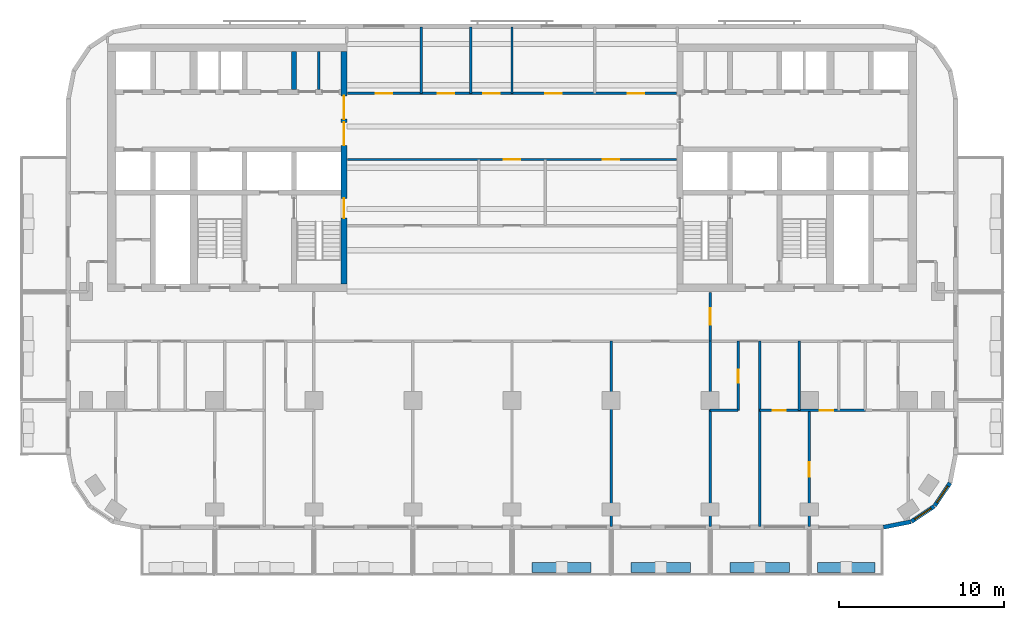
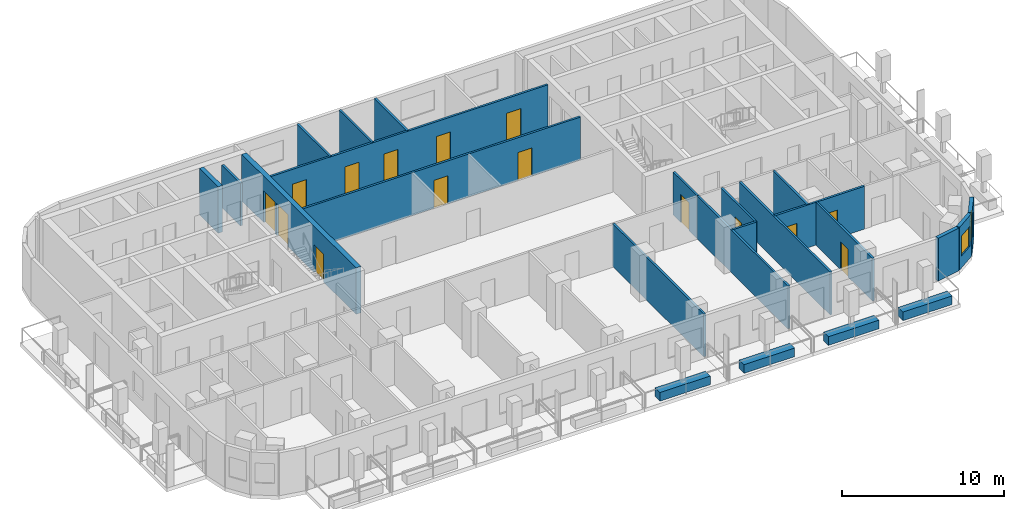
# One storey, part 5 of 12: 24 walls, 15 doors, 2 windows, 17 openings.
"""IFC4 building model written with IfcOpenShell, lengths in metres."""

from ifc_helpers import new_model, si_unit, direction, frame, frame_2d, origin, place, context, subcontext, project, spatial, rectangle, extrude, material, layer, layer_set, type_object, element, fill, save


model = new_model("IFC4")

# Units and contexts
model_context = context("Model", 3, precision=1e-05, world=origin(), true_north=direction((0.0, 1.0)))
body_context = subcontext(model_context, "Body", "Model", "MODEL_VIEW")
ifc_project = project(units=[si_unit("LENGTHUNIT", "METRE"), si_unit("AREAUNIT", "SQUARE_METRE"), si_unit("VOLUMEUNIT", "CUBIC_METRE"), si_unit("PLANEANGLEUNIT", "RADIAN"), si_unit("MASSUNIT", "GRAM", prefix="KILO")], contexts=[model_context])

# Site, building, storey
site_placement = place(None, origin())
site = spatial("IfcSite", under=ifc_project, at=site_placement, CompositionType="ELEMENT")
building_placement = place(site_placement, origin())
building = spatial("IfcBuilding", under=site, at=building_placement, Name="Torana Hotel and Residences", CompositionType="ELEMENT")
storey_placement = place(building_placement, frame((0.0, 0.0, 201.10009765625)))
storey = spatial("IfcBuildingStorey", under=building, at=storey_placement, Name="L52", CompositionType="ELEMENT", Elevation=201.10009765625)

# Wall
ifc_material_1 = material(Name="Concrete C70/85", Category="concrete")
ifc_layer_1 = layer(ifc_material_1, 0.300048828125)
ifc_layer_set_1 = layer_set([ifc_layer_1], Name="CORE WALL 300 C70/85")
wall_type_1 = type_object("IfcWallType", Name="CORE WALL 300 C70/85", PredefinedType="SHEAR", material=ifc_layer_set_1)
wall_1_placement = place(storey_placement, frame((-13.199951171875, -2.75, 0.0), z_axis=(0.0, 0.0, 1.0), x_axis=(0.0, 1.0, 0.0)))
element("IfcWall", 1, at=wall_1_placement, inside=storey, type_object=wall_type_1, Name="Core wall W x3.05-N", PredefinedType="SHEAR", context=body_context, shape_type="SweptSolid", body=[
    extrude(rectangle(XDim=2.300048828125, YDim=0.300048828125, at=frame_2d((1.14990234375, 0.0))), origin(), (0.0, 0.0, 1.0), 3.5),
])

# Wall, openings, doors
ifc_material_2 = material(Name="Concrete C70/85", Category="concrete")
ifc_layer_2 = layer(ifc_material_2, 0.35009765625)
ifc_layer_set_2 = layer_set([ifc_layer_2], Name="CORE WALL 350 C70/85")
wall_type_2 = type_object("IfcWallType", Name="CORE WALL 350 C70/85", PredefinedType="SHEAR", material=ifc_layer_set_2)
wall_2_placement = place(storey_placement, frame((-10.175048828125, -14.550048828125, 0.0), z_axis=(0.0, 0.0, 1.0), x_axis=(0.0, 1.0, 0.0)))
wall_2 = element("IfcWall", 2, at=wall_2_placement, inside=storey, type_object=wall_type_2, Name="Core wall W arch", PredefinedType="SHEAR", context=body_context, shape_type="SweptSolid", body=[
    extrude(rectangle(XDim=14.10009765625, YDim=0.35009765625, at=frame_2d((7.050048828125, 0.0))), origin(), (0.0, 0.0, 1.0), 3.5),
])
opening_1_placement = place(wall_2_placement, frame((8.39990234375, 0.0, 0.0)))
opening_1 = element("IfcOpeningElement", 3, at=opening_1_placement, cuts=wall_2, Name="Opening L52-01", PredefinedType="OPENING", context=body_context, shape_type="SweptSolid", body=[
    extrude(rectangle(XDim=1.39990234375, YDim=2.39990234375, at=frame_2d((0.699951171875, 1.199951171875))), frame((0.0, 0.18505859375, 0.0), z_axis=(0.0, -1.0, 0.0), x_axis=(1.0, 0.0, 0.0)), (0.0, 0.0, 1.0), 0.3701171875),
])
opening_2_placement = place(wall_2_placement, frame((10.0, 0.0, 0.0)))
opening_2 = element("IfcOpeningElement", 4, at=opening_2_placement, cuts=wall_2, Name="Opening L52-02", PredefinedType="OPENING", context=body_context, shape_type="SweptSolid", body=[
    extrude(rectangle(XDim=1.39990234375, YDim=2.39990234375, at=frame_2d((0.699951171875, 1.199951171875))), frame((0.0, 0.18505859375, 0.0), z_axis=(0.0, -1.0, 0.0), x_axis=(1.0, 0.0, 0.0)), (0.0, 0.0, 1.0), 0.3701171875),
])
opening_3_placement = place(wall_2_placement, frame((4.0, 0.0, 0.0)))
opening_3 = element("IfcOpeningElement", 5, at=opening_3_placement, cuts=wall_2, Name="Opening L52-03", PredefinedType="OPENING", context=body_context, shape_type="SweptSolid", body=[
    extrude(rectangle(XDim=1.199951171875, YDim=2.10009765625, at=frame_2d((0.60009765625, 1.050048828125))), frame((0.0, 0.18505859375, 0.0), z_axis=(0.0, -1.0, 0.0), x_axis=(1.0, 0.0, 0.0)), (0.0, 0.0, 1.0), 0.3701171875),
])
ifc_material_3 = material(Name="Steel S235", Category="steel")
door_type_1 = type_object("IfcDoorType", Name="LOBBY FIRE DOOR D4 1400x2400", OperationType="DOUBLE_DOOR_SINGLE_SWING", PredefinedType="DOOR", material=ifc_material_3)
door_1_placement = place(opening_1_placement, origin())
door_1 = element("IfcDoor", 6, at=door_1_placement, inside=storey, type_object=door_type_1, Name="Lobby-1 door L52", OperationType="DOUBLE_DOOR_SINGLE_SWING", OverallHeight=2.39990234375, OverallWidth=1.39990234375, PredefinedType="DOOR", context=body_context, shape_type="SweptSolid", body=[
    extrude(rectangle(XDim=1.39990234375, YDim=2.39990234375, at=frame_2d((0.699951171875, 1.199951171875))), frame((0.0, 0.02490234375, 0.0), z_axis=(0.0, -1.0, 0.0), x_axis=(1.0, 0.0, 0.0)), (0.0, 0.0, 1.0), 0.050048828125),
])
fill(opening_1, door_1)
door_2_placement = place(opening_2_placement, origin())
door_2 = element("IfcDoor", 7, at=door_2_placement, inside=storey, type_object=door_type_1, Name="Lobby-2 door L52", OperationType="DOUBLE_DOOR_SINGLE_SWING", OverallHeight=2.39990234375, OverallWidth=1.39990234375, PredefinedType="DOOR", context=body_context, shape_type="SweptSolid", body=[
    extrude(rectangle(XDim=1.39990234375, YDim=2.39990234375, at=frame_2d((0.699951171875, 1.199951171875))), frame((0.0, 0.02490234375, 0.0), z_axis=(0.0, -1.0, 0.0), x_axis=(1.0, 0.0, 0.0)), (0.0, 0.0, 1.0), 0.050048828125),
])
fill(opening_2, door_2)
ifc_material_4 = material(Name="Steel S235", Category="steel")
door_type_2 = type_object("IfcDoorType", Name="STAIR FIRE DOOR D3 1200x2100", OperationType="SINGLE_SWING_LEFT", PredefinedType="DOOR", material=ifc_material_4)
door_3_placement = place(opening_3_placement, origin())
door_3 = element("IfcDoor", 8, at=door_3_placement, inside=storey, type_object=door_type_2, Name="Stair-A door L52", OperationType="SINGLE_SWING_LEFT", OverallHeight=2.10009765625, OverallWidth=1.199951171875, PredefinedType="DOOR", context=body_context, shape_type="SweptSolid", body=[
    extrude(rectangle(XDim=1.199951171875, YDim=2.10009765625, at=frame_2d((0.60009765625, 1.050048828125))), frame((0.0, 0.02490234375, 0.0), z_axis=(0.0, -1.0, 0.0), x_axis=(1.0, 0.0, 0.0)), (0.0, 0.0, 1.0), 0.050048828125),
])
fill(opening_3, door_3)

# Wall
ifc_material_5 = material(Name="Black aluminium composite panel", Category="aluminium")
ifc_layer_3 = layer(ifc_material_5, 0.00390625, Name="Cladding", Category="cladding")
ifc_material_6 = material(Name="Ventilated air cavity")
ifc_layer_4 = layer(ifc_material_6, 0.0400390625, Name="Ventilated cavity", Category="cavity")
ifc_material_7 = material(Name="Mineral wool insulation")
ifc_layer_5 = layer(ifc_material_7, 0.090087890625, Name="Insulation", Category="insulation")
ifc_material_8 = material(Name="Steel S280GD", Category="steel")
ifc_layer_6 = layer(ifc_material_8, 0.092041015625, Name="Steel stud frame", Category="structure")
ifc_material_9 = material(Name="Fire rated plasterboard")
ifc_layer_7 = layer(ifc_material_9, 0.011962890625, Name="Inner board", Category="finish")
ifc_layer_8 = layer(ifc_material_9, 0.011962890625, Name="Second board", Category="finish")
ifc_layer_set_3 = layer_set([ifc_layer_3, ifc_layer_4, ifc_layer_5, ifc_layer_6, ifc_layer_7, ifc_layer_8], Name="EW1 EXTERNAL WALL BLACK METAL CLAD 250")
wall_type_3 = type_object("IfcWallType", Name="EW1 EXTERNAL WALL BLACK METAL CLAD 250", PredefinedType="SOLIDWALL", material=ifc_layer_set_3)
wall_3_placement = place(storey_placement, frame((22.499755859375, -29.272705078125, 0.0), z_axis=(0.0, 0.0, 1.0), x_axis=(0.980775640221, 0.19513878023, 0.0)))
element("IfcWall", 9, at=wall_3_placement, inside=storey, type_object=wall_type_3, Name="External wall L52 e0.15", PredefinedType="SOLIDWALL", context=body_context, shape_type="SweptSolid", body=[
    extrude(rectangle(XDim=1.681396484375, YDim=0.25, at=frame_2d((0.8408203125, 0.0))), origin(), (0.0, 0.0, 1.0), 3.219970703125),
])

# Wall, opening, window
wall_4_placement = place(storey_placement, frame((24.194091796875, -28.92578125, 0.0), z_axis=(0.0, 0.0, 1.0), x_axis=(0.831482937015, 0.55555029066, 0.0)))
wall_4 = element("IfcWall", 10, at=wall_4_placement, inside=storey, type_object=wall_type_3, Name="External wall L52 e0.16", PredefinedType="SOLIDWALL", context=body_context, shape_type="SweptSolid", body=[
    extrude(rectangle(XDim=1.65625, YDim=0.25, at=frame_2d((0.828125, 0.0))), origin(), (0.0, 0.0, 1.0), 3.219970703125),
])
opening_4_placement = place(wall_4_placement, frame((0.228271484375, 0.0, 0.89990234375)))
opening_4 = element("IfcOpeningElement", 11, at=opening_4_placement, cuts=wall_4, Name="Opening W5", PredefinedType="OPENING", context=body_context, shape_type="SweptSolid", body=[
    extrude(rectangle(XDim=1.199951171875, YDim=1.5, at=frame_2d((0.60009765625, 0.75))), frame((0.0, 0.135009765625, 0.0), z_axis=(0.0, -1.0, 0.0), x_axis=(1.0, 0.0, 0.0)), (0.0, 0.0, 1.0), 0.27001953125),
])
ifc_material_10 = material(Name="Dark glass in black aluminium frame", Category="aluminium")
window_type = type_object("IfcWindowType", Name="W5 CORNER FACET WINDOW 1200x1500", PartitioningType="SINGLE_PANEL", PredefinedType="WINDOW", material=ifc_material_10)
window_1_placement = place(opening_4_placement, origin())
window_1 = element("IfcWindow", 12, at=window_1_placement, inside=storey, type_object=window_type, Name="Window L52 e0.16", OverallHeight=1.5, OverallWidth=1.199951171875, PartitioningType="SINGLE_PANEL", PredefinedType="WINDOW", context=body_context, shape_type="SweptSolid", body=[
    extrude(rectangle(XDim=1.199951171875, YDim=1.5, at=frame_2d((0.60009765625, 0.75))), frame((0.0, 0.030029296875, 0.0), z_axis=(0.0, -1.0, 0.0), x_axis=(1.0, 0.0, 0.0)), (0.0, 0.0, 1.0), 0.06005859375),
])
fill(opening_4, window_1)

wall_5_placement = place(storey_placement, frame((25.605712890625, -27.97119140625, 0.0), z_axis=(0.0, 0.0, 1.0), x_axis=(0.55555029066, 0.831482937015, 0.0)))
wall_5 = element("IfcWall", 13, at=wall_5_placement, inside=storey, type_object=wall_type_3, Name="External wall L52 e0.17", PredefinedType="SOLIDWALL", context=body_context, shape_type="SweptSolid", body=[
    extrude(rectangle(XDim=1.65625, YDim=0.25, at=frame_2d((0.828125, 0.0))), origin(), (0.0, 0.0, 1.0), 3.219970703125),
])
opening_5_placement = place(wall_5_placement, frame((0.228271484375, 0.0, 0.89990234375)))
opening_5 = element("IfcOpeningElement", 14, at=opening_5_placement, cuts=wall_5, Name="Opening W5", PredefinedType="OPENING", context=body_context, shape_type="SweptSolid", body=[
    extrude(rectangle(XDim=1.199951171875, YDim=1.5, at=frame_2d((0.60009765625, 0.75))), frame((0.0, 0.135009765625, 0.0), z_axis=(0.0, -1.0, 0.0), x_axis=(1.0, 0.0, 0.0)), (0.0, 0.0, 1.0), 0.27001953125),
])
window_2_placement = place(opening_5_placement, origin())
window_2 = element("IfcWindow", 15, at=window_2_placement, inside=storey, type_object=window_type, Name="Window L52 e0.17", OverallHeight=1.5, OverallWidth=1.199951171875, PartitioningType="SINGLE_PANEL", PredefinedType="WINDOW", context=body_context, shape_type="SweptSolid", body=[
    extrude(rectangle(XDim=1.199951171875, YDim=1.5, at=frame_2d((0.60009765625, 0.75))), frame((0.0, 0.030029296875, 0.0), z_axis=(0.0, -1.0, 0.0), x_axis=(1.0, 0.0, 0.0)), (0.0, 0.0, 1.0), 0.06005859375),
])
fill(opening_5, window_2)

# Wall
ifc_material_11 = material(Name="Gypsum plaster")
ifc_layer_9 = layer(ifc_material_11, 0.014892578125, Name="Plaster", Category="finish")
ifc_material_12 = material(Name="Concrete blockwork", Category="masonry")
ifc_layer_10 = layer(ifc_material_12, 0.1201171875, Name="Blockwork", Category="structure")
ifc_layer_11 = layer(ifc_material_11, 0.014892578125, Name="Plaster", Category="finish")
ifc_layer_set_4 = layer_set([ifc_layer_9, ifc_layer_10, ifc_layer_11], Name="FIRE PARTITION 150 BLOCKWORK")
wall_type_4 = type_object("IfcWallType", Name="FIRE PARTITION 150 BLOCKWORK", PredefinedType="PARTITIONING", material=ifc_layer_set_4)
wall_6_placement = place(storey_placement, frame((-11.699951171875, -2.75, 0.0), z_axis=(0.0, 0.0, 1.0), x_axis=(0.0, 1.0, 0.0)))
element("IfcWall", 16, at=wall_6_placement, inside=storey, type_object=wall_type_4, Name="Core partition L52", PredefinedType="PARTITIONING", context=body_context, shape_type="SweptSolid", body=[
    extrude(rectangle(XDim=2.300048828125, YDim=0.14990234375, at=frame_2d((1.14990234375, 0.0))), origin(), (0.0, 0.0, 1.0), 3.199951171875),
])

# Wall, opening, door
wall_7_placement = place(storey_placement, frame((12.0, -18.0, 0.0), z_axis=(0.0, 0.0, 1.0), x_axis=(0.0, 1.0, 0.0)))
wall_7 = element("IfcWall", 17, at=wall_7_placement, inside=storey, type_object=wall_type_4, Name="Partition L52", PredefinedType="PARTITIONING", context=body_context, shape_type="SweptSolid", body=[
    extrude(rectangle(XDim=2.949951171875, YDim=0.14990234375, at=frame_2d((1.47509765625, 0.0))), origin(), (0.0, 0.0, 1.0), 3.219970703125),
])
opening_6_placement = place(wall_7_placement, frame((1.0, 0.0, 0.0)))
opening_6 = element("IfcOpeningElement", 18, at=opening_6_placement, cuts=wall_7, Name="Opening L52-38", PredefinedType="OPENING", context=body_context, shape_type="SweptSolid", body=[
    extrude(rectangle(XDim=1.0, YDim=2.10009765625, at=frame_2d((0.5, 1.050048828125))), frame((0.0, 0.0849609375, 0.0), z_axis=(0.0, -1.0, 0.0), x_axis=(1.0, 0.0, 0.0)), (0.0, 0.0, 1.0), 0.169921875),
])
ifc_material_13 = material(Name="Steel S235", Category="steel")
door_type_3 = type_object("IfcDoorType", Name="ENTRY FIRE DOOR D6 1000x2100", OperationType="SINGLE_SWING_LEFT", PredefinedType="DOOR", material=ifc_material_13)
door_4_placement = place(opening_6_placement, origin())
door_4 = element("IfcDoor", 19, at=door_4_placement, inside=storey, type_object=door_type_3, Name="Door L52", OperationType="SINGLE_SWING_RIGHT", OverallHeight=2.10009765625, OverallWidth=1.0, PredefinedType="DOOR", context=body_context, shape_type="SweptSolid", body=[
    extrude(rectangle(XDim=1.0, YDim=2.10009765625, at=frame_2d((0.5, 1.050048828125))), frame((0.0, 0.02490234375, 0.0), z_axis=(0.0, -1.0, 0.0), x_axis=(1.0, 0.0, 0.0)), (0.0, 0.0, 1.0), 0.050048828125),
])
fill(opening_6, door_4)

# Wall, openings, doors
wall_8_placement = place(storey_placement, frame((-9.949951171875, -7.0, 0.0), z_axis=(0.0, 0.0, 1.0), x_axis=(1.0, 0.0, 0.0)))
wall_8 = element("IfcWall", 20, at=wall_8_placement, inside=storey, type_object=wall_type_4, Name="Partition L52", PredefinedType="PARTITIONING", context=body_context, shape_type="SweptSolid", body=[
    extrude(rectangle(XDim=19.89990234375, YDim=0.14990234375, at=frame_2d((9.949951171875, 0.0))), origin(), (0.0, 0.0, 1.0), 3.219970703125),
])
opening_7_placement = place(wall_8_placement, frame((9.449951171875, 0.0, 0.0)))
opening_7 = element("IfcOpeningElement", 21, at=opening_7_placement, cuts=wall_8, Name="Opening L52-49", PredefinedType="OPENING", context=body_context, shape_type="SweptSolid", body=[
    extrude(rectangle(XDim=1.0, YDim=2.10009765625, at=frame_2d((0.5, 1.050048828125))), frame((0.0, 0.0849609375, 0.0), z_axis=(0.0, -1.0, 0.0), x_axis=(1.0, 0.0, 0.0)), (0.0, 0.0, 1.0), 0.169921875),
])
opening_8_placement = place(wall_8_placement, frame((15.449951171875, 0.0, 0.0)))
opening_8 = element("IfcOpeningElement", 22, at=opening_8_placement, cuts=wall_8, Name="Opening L52-50", PredefinedType="OPENING", context=body_context, shape_type="SweptSolid", body=[
    extrude(rectangle(XDim=1.0, YDim=2.10009765625, at=frame_2d((0.5, 1.050048828125))), frame((0.0, 0.0849609375, 0.0), z_axis=(0.0, -1.0, 0.0), x_axis=(1.0, 0.0, 0.0)), (0.0, 0.0, 1.0), 0.169921875),
])
door_5_placement = place(opening_7_placement, origin())
door_5 = element("IfcDoor", 23, at=door_5_placement, inside=storey, type_object=door_type_3, Name="Door L52", OperationType="SINGLE_SWING_RIGHT", OverallHeight=2.10009765625, OverallWidth=1.0, PredefinedType="DOOR", context=body_context, shape_type="SweptSolid", body=[
    extrude(rectangle(XDim=1.0, YDim=2.10009765625, at=frame_2d((0.5, 1.050048828125))), frame((0.0, 0.02490234375, 0.0), z_axis=(0.0, -1.0, 0.0), x_axis=(1.0, 0.0, 0.0)), (0.0, 0.0, 1.0), 0.050048828125),
])
fill(opening_7, door_5)
door_6_placement = place(opening_8_placement, frame((0.5, 0.0, 0.0), z_axis=(0.0, 0.0, 1.0), x_axis=(-1.0, 0.0, 0.0)))
door_6 = element("IfcDoor", 24, at=door_6_placement, inside=storey, type_object=door_type_3, Name="Door L52", OperationType="SINGLE_SWING_LEFT", OverallHeight=2.10009765625, OverallWidth=1.0, PredefinedType="DOOR", context=body_context, shape_type="SweptSolid", body=[
    extrude(rectangle(XDim=1.0, YDim=2.10009765625, at=frame_2d((0.0, 1.050048828125))), frame((0.0, -0.02490234375, 0.0), z_axis=(0.0, 1.0, 0.0), x_axis=(-1.0, 0.0, 0.0)), (0.0, 0.0, 1.0), 0.050048828125),
])
fill(opening_8, door_6)

wall_9_placement = place(storey_placement, frame((-9.949951171875, -3.0, 0.0), z_axis=(0.0, 0.0, 1.0), x_axis=(1.0, 0.0, 0.0)))
wall_9 = element("IfcWall", 25, at=wall_9_placement, inside=storey, type_object=wall_type_4, Name="Partition L52", PredefinedType="PARTITIONING", context=body_context, shape_type="SweptSolid", body=[
    extrude(rectangle(XDim=19.89990234375, YDim=0.14990234375, at=frame_2d((9.949951171875, 0.0))), origin(), (0.0, 0.0, 1.0), 3.219970703125),
])
opening_9_placement = place(wall_9_placement, frame((1.699951171875, 0.0, 0.0)))
opening_9 = element("IfcOpeningElement", 26, at=opening_9_placement, cuts=wall_9, Name="Opening L52-51", PredefinedType="OPENING", context=body_context, shape_type="SweptSolid", body=[
    extrude(rectangle(XDim=1.0, YDim=2.10009765625, at=frame_2d((0.5, 1.050048828125))), frame((0.0, 0.0849609375, 0.0), z_axis=(0.0, -1.0, 0.0), x_axis=(1.0, 0.0, 0.0)), (0.0, 0.0, 1.0), 0.169921875),
])
opening_10_placement = place(wall_9_placement, frame((5.449951171875, 0.0, 0.0)))
opening_10 = element("IfcOpeningElement", 27, at=opening_10_placement, cuts=wall_9, Name="Opening L52-52", PredefinedType="OPENING", context=body_context, shape_type="SweptSolid", body=[
    extrude(rectangle(XDim=1.0, YDim=2.10009765625, at=frame_2d((0.5, 1.050048828125))), frame((0.0, 0.0849609375, 0.0), z_axis=(0.0, -1.0, 0.0), x_axis=(1.0, 0.0, 0.0)), (0.0, 0.0, 1.0), 0.169921875),
])
opening_11_placement = place(wall_9_placement, frame((8.199951171875, 0.0, 0.0)))
opening_11 = element("IfcOpeningElement", 28, at=opening_11_placement, cuts=wall_9, Name="Opening L52-53", PredefinedType="OPENING", context=body_context, shape_type="SweptSolid", body=[
    extrude(rectangle(XDim=1.0, YDim=2.10009765625, at=frame_2d((0.5, 1.050048828125))), frame((0.0, 0.0849609375, 0.0), z_axis=(0.0, -1.0, 0.0), x_axis=(1.0, 0.0, 0.0)), (0.0, 0.0, 1.0), 0.169921875),
])
opening_12_placement = place(wall_9_placement, frame((11.949951171875, 0.0, 0.0)))
opening_12 = element("IfcOpeningElement", 29, at=opening_12_placement, cuts=wall_9, Name="Opening L52-54", PredefinedType="OPENING", context=body_context, shape_type="SweptSolid", body=[
    extrude(rectangle(XDim=1.0, YDim=2.10009765625, at=frame_2d((0.5, 1.050048828125))), frame((0.0, 0.0849609375, 0.0), z_axis=(0.0, -1.0, 0.0), x_axis=(1.0, 0.0, 0.0)), (0.0, 0.0, 1.0), 0.169921875),
])
opening_13_placement = place(wall_9_placement, frame((16.949951171875, 0.0, 0.0)))
opening_13 = element("IfcOpeningElement", 30, at=opening_13_placement, cuts=wall_9, Name="Opening L52-55", PredefinedType="OPENING", context=body_context, shape_type="SweptSolid", body=[
    extrude(rectangle(XDim=1.0, YDim=2.10009765625, at=frame_2d((0.5, 1.050048828125))), frame((0.0, 0.0849609375, 0.0), z_axis=(0.0, -1.0, 0.0), x_axis=(1.0, 0.0, 0.0)), (0.0, 0.0, 1.0), 0.169921875),
])
door_7_placement = place(opening_9_placement, origin())
door_7 = element("IfcDoor", 31, at=door_7_placement, inside=storey, type_object=door_type_3, Name="Door L52", OperationType="SINGLE_SWING_RIGHT", OverallHeight=2.10009765625, OverallWidth=1.0, PredefinedType="DOOR", context=body_context, shape_type="SweptSolid", body=[
    extrude(rectangle(XDim=1.0, YDim=2.10009765625, at=frame_2d((0.5, 1.050048828125))), frame((0.0, 0.02490234375, 0.0), z_axis=(0.0, -1.0, 0.0), x_axis=(1.0, 0.0, 0.0)), (0.0, 0.0, 1.0), 0.050048828125),
])
fill(opening_9, door_7)
door_8_placement = place(opening_10_placement, origin())
door_8 = element("IfcDoor", 32, at=door_8_placement, inside=storey, type_object=door_type_3, Name="Door L52", OperationType="SINGLE_SWING_RIGHT", OverallHeight=2.10009765625, OverallWidth=1.0, PredefinedType="DOOR", context=body_context, shape_type="SweptSolid", body=[
    extrude(rectangle(XDim=1.0, YDim=2.10009765625, at=frame_2d((0.5, 1.050048828125))), frame((0.0, 0.02490234375, 0.0), z_axis=(0.0, -1.0, 0.0), x_axis=(1.0, 0.0, 0.0)), (0.0, 0.0, 1.0), 0.050048828125),
])
fill(opening_10, door_8)
door_9_placement = place(opening_11_placement, origin())
door_9 = element("IfcDoor", 33, at=door_9_placement, inside=storey, type_object=door_type_3, Name="Door L52", OperationType="SINGLE_SWING_RIGHT", OverallHeight=2.10009765625, OverallWidth=1.0, PredefinedType="DOOR", context=body_context, shape_type="SweptSolid", body=[
    extrude(rectangle(XDim=1.0, YDim=2.10009765625, at=frame_2d((0.5, 1.050048828125))), frame((0.0, 0.02490234375, 0.0), z_axis=(0.0, -1.0, 0.0), x_axis=(1.0, 0.0, 0.0)), (0.0, 0.0, 1.0), 0.050048828125),
])
fill(opening_11, door_9)
door_10_placement = place(opening_12_placement, origin())
door_10 = element("IfcDoor", 34, at=door_10_placement, inside=storey, type_object=door_type_3, Name="Door L52", OperationType="SINGLE_SWING_RIGHT", OverallHeight=2.10009765625, OverallWidth=1.0, PredefinedType="DOOR", context=body_context, shape_type="SweptSolid", body=[
    extrude(rectangle(XDim=1.0, YDim=2.10009765625, at=frame_2d((0.5, 1.050048828125))), frame((0.0, 0.02490234375, 0.0), z_axis=(0.0, -1.0, 0.0), x_axis=(1.0, 0.0, 0.0)), (0.0, 0.0, 1.0), 0.050048828125),
])
fill(opening_12, door_10)
door_11_placement = place(opening_13_placement, origin())
door_11 = element("IfcDoor", 35, at=door_11_placement, inside=storey, type_object=door_type_3, Name="Door L52", OperationType="SINGLE_SWING_RIGHT", OverallHeight=2.10009765625, OverallWidth=1.0, PredefinedType="DOOR", context=body_context, shape_type="SweptSolid", body=[
    extrude(rectangle(XDim=1.0, YDim=2.10009765625, at=frame_2d((0.5, 1.050048828125))), frame((0.0, 0.02490234375, 0.0), z_axis=(0.0, -1.0, 0.0), x_axis=(1.0, 0.0, 0.0)), (0.0, 0.0, 1.0), 0.050048828125),
])
fill(opening_13, door_11)

# Wall, opening, door
ifc_material_14 = material(Name="Gypsum plasterboard")
ifc_layer_12 = layer(ifc_material_14, 0.012451171875, Name="Plasterboard", Category="finish")
ifc_layer_13 = layer(ifc_material_14, 0.012451171875, Name="Plasterboard", Category="finish")
ifc_layer_14 = layer(ifc_material_8, 0.10009765625, Name="Steel studs with mineral wool", Category="insulation")
ifc_layer_15 = layer(ifc_material_14, 0.012451171875, Name="Plasterboard", Category="finish")
ifc_layer_16 = layer(ifc_material_14, 0.012451171875, Name="Plasterboard", Category="finish")
ifc_layer_set_5 = layer_set([ifc_layer_12, ifc_layer_13, ifc_layer_14, ifc_layer_15, ifc_layer_16], Name="PARTITION 150 PLASTERBOARD")
wall_type_5 = type_object("IfcWallType", Name="PARTITION 150 PLASTERBOARD", PredefinedType="PARTITIONING", material=ifc_layer_set_5)
wall_10_placement = place(storey_placement, frame((18.0, -29.219970703125, 0.0), z_axis=(0.0, 0.0, 1.0), x_axis=(0.0, 1.0, 0.0)))
wall_10 = element("IfcWall", 36, at=wall_10_placement, inside=storey, type_object=wall_type_5, Name="Partition L52", PredefinedType="PARTITIONING", context=body_context, shape_type="SweptSolid", body=[
    extrude(rectangle(XDim=7.02001953125, YDim=0.14990234375, at=frame_2d((3.510009765625, 0.0))), origin(), (0.0, 0.0, 1.0), 3.219970703125),
])
opening_14_placement = place(wall_10_placement, frame((2.989990234375, 0.0, 0.0)))
opening_14 = element("IfcOpeningElement", 37, at=opening_14_placement, cuts=wall_10, Name="Opening L52-68", PredefinedType="OPENING", context=body_context, shape_type="SweptSolid", body=[
    extrude(rectangle(XDim=0.89990234375, YDim=2.10009765625, at=frame_2d((0.449951171875, 1.050048828125))), frame((0.0, 0.0849609375, 0.0), z_axis=(0.0, -1.0, 0.0), x_axis=(1.0, 0.0, 0.0)), (0.0, 0.0, 1.0), 0.169921875),
])
ifc_material_15 = material(Name="Timber door, oiled ash", Category="wood")
door_type_4 = type_object("IfcDoorType", Name="ROOM DOOR D7 900x2100", OperationType="SINGLE_SWING_LEFT", PredefinedType="DOOR", material=ifc_material_15)
door_12_placement = place(opening_14_placement, origin())
door_12 = element("IfcDoor", 38, at=door_12_placement, inside=storey, type_object=door_type_4, Name="Door L52", OperationType="SINGLE_SWING_RIGHT", OverallHeight=2.10009765625, OverallWidth=0.89990234375, PredefinedType="DOOR", context=body_context, shape_type="SweptSolid", body=[
    extrude(rectangle(XDim=0.89990234375, YDim=2.10009765625, at=frame_2d((0.449951171875, 1.050048828125))), frame((0.0, 0.02490234375, 0.0), z_axis=(0.0, -1.0, 0.0), x_axis=(1.0, 0.0, 0.0)), (0.0, 0.0, 1.0), 0.050048828125),
])
fill(opening_14, door_12)

# Walls
wall_11_placement = place(storey_placement, frame((17.39990234375, -22.199951171875, 0.0), z_axis=(0.0, 0.0, 1.0), x_axis=(0.0, 1.0, 0.0)))
element("IfcWall", 39, at=wall_11_placement, inside=storey, type_object=wall_type_5, Name="Partition L52", PredefinedType="PARTITIONING", context=body_context, shape_type="SweptSolid", body=[
    extrude(rectangle(XDim=4.199951171875, YDim=0.14990234375, at=frame_2d((2.10009765625, 0.0))), origin(), (0.0, 0.0, 1.0), 3.219970703125),
])
wall_12_placement = place(storey_placement, frame((15.0, -29.219970703125, 0.0), z_axis=(0.0, 0.0, 1.0), x_axis=(0.0, 1.0, 0.0)))
element("IfcWall", 40, at=wall_12_placement, inside=storey, type_object=wall_type_5, Name="Partition L52", PredefinedType="PARTITIONING", context=body_context, shape_type="SweptSolid", body=[
    extrude(rectangle(XDim=11.219970703125, YDim=0.14990234375, at=frame_2d((5.60986328125, 0.0))), origin(), (0.0, 0.0, 1.0), 3.219970703125),
])

# Wall, opening, door
wall_13_placement = place(storey_placement, frame((13.699951171875, -22.199951171875, 0.0), z_axis=(0.0, 0.0, 1.0), x_axis=(0.0, 1.0, 0.0)))
wall_13 = element("IfcWall", 41, at=wall_13_placement, inside=storey, type_object=wall_type_5, Name="Partition L52", PredefinedType="PARTITIONING", context=body_context, shape_type="SweptSolid", body=[
    extrude(rectangle(XDim=4.199951171875, YDim=0.14990234375, at=frame_2d((2.10009765625, 0.0))), origin(), (0.0, 0.0, 1.0), 3.219970703125),
])
opening_15_placement = place(wall_13_placement, frame((1.679931640625, 0.0, 0.0)))
opening_15 = element("IfcOpeningElement", 42, at=opening_15_placement, cuts=wall_13, Name="Opening L52-57", PredefinedType="OPENING", context=body_context, shape_type="SweptSolid", body=[
    extrude(rectangle(XDim=0.800048828125, YDim=2.10009765625, at=frame_2d((0.39990234375, 1.050048828125))), frame((0.0, 0.0849609375, 0.0), z_axis=(0.0, -1.0, 0.0), x_axis=(1.0, 0.0, 0.0)), (0.0, 0.0, 1.0), 0.169921875),
])
ifc_material_16 = material(Name="Timber door, painted", Category="wood")
door_type_5 = type_object("IfcDoorType", Name="BATH DOOR D13 800x2100", OperationType="SINGLE_SWING_LEFT", PredefinedType="DOOR", material=ifc_material_16)
door_13_placement = place(opening_15_placement, origin())
door_13 = element("IfcDoor", 43, at=door_13_placement, inside=storey, type_object=door_type_5, Name="Door L52", OperationType="SINGLE_SWING_RIGHT", OverallHeight=2.10009765625, OverallWidth=0.800048828125, PredefinedType="DOOR", context=body_context, shape_type="SweptSolid", body=[
    extrude(rectangle(XDim=0.800048828125, YDim=2.10009765625, at=frame_2d((0.39990234375, 1.050048828125))), frame((0.0, 0.02490234375, 0.0), z_axis=(0.0, -1.0, 0.0), x_axis=(1.0, 0.0, 0.0)), (0.0, 0.0, 1.0), 0.050048828125),
])
fill(opening_15, door_13)

# Walls
for number, where, z_axis, x_axis, name in (
    (44, (12.0, -29.219970703125, 0.0), (0.0, 0.0, 1.0), (0.0, 1.0, 0.0), "Partition L52"),
    (45, (6.0, -29.219970703125, 0.0), (0.0, 0.0, 1.0), (0.0, 1.0, 0.0), "Partition L52"),
):
    element("IfcWall", number, at=place(storey_placement, frame(where, z_axis=z_axis, x_axis=x_axis)), inside=storey, type_object=wall_type_5, Name=name, PredefinedType="PARTITIONING", context=body_context, shape_type="SweptSolid", body=[
        extrude(rectangle(XDim=11.219970703125, YDim=0.14990234375, at=frame_2d((5.60986328125, 0.0))), origin(), (0.0, 0.0, 1.0), 3.219970703125),
    ])
wall_14_placement = place(storey_placement, frame((12.0, -22.199951171875, 0.0), z_axis=(0.0, 0.0, 1.0), x_axis=(1.0, 0.0, 0.0)))
element("IfcWall", 46, at=wall_14_placement, inside=storey, type_object=wall_type_5, Name="Partition L52", PredefinedType="PARTITIONING", context=body_context, shape_type="SweptSolid", body=[
    extrude(rectangle(XDim=1.699951171875, YDim=0.14990234375, at=frame_2d((0.85009765625, 0.0))), origin(), (0.0, 0.0, 1.0), 3.219970703125),
])

# Wall, openings, doors
wall_15_placement = place(storey_placement, frame((15.0, -22.199951171875, 0.0), z_axis=(0.0, 0.0, 1.0), x_axis=(1.0, 0.0, 0.0)))
wall_15 = element("IfcWall", 47, at=wall_15_placement, inside=storey, type_object=wall_type_5, Name="Partition L52", PredefinedType="PARTITIONING", context=body_context, shape_type="SweptSolid", body=[
    extrude(rectangle(XDim=6.39990234375, YDim=0.14990234375, at=frame_2d((3.199951171875, 0.0))), origin(), (0.0, 0.0, 1.0), 3.219970703125),
])
opening_16_placement = place(wall_15_placement, frame((0.780029296875, 0.0, 0.0)))
opening_16 = element("IfcOpeningElement", 48, at=opening_16_placement, cuts=wall_15, Name="Opening L52-64", PredefinedType="OPENING", context=body_context, shape_type="SweptSolid", body=[
    extrude(rectangle(XDim=0.800048828125, YDim=2.10009765625, at=frame_2d((0.39990234375, 1.050048828125))), frame((0.0, 0.0849609375, 0.0), z_axis=(0.0, -1.0, 0.0), x_axis=(1.0, 0.0, 0.0)), (0.0, 0.0, 1.0), 0.169921875),
])
opening_17_placement = place(wall_15_placement, frame((3.64990234375, 0.0, 0.0)))
opening_17 = element("IfcOpeningElement", 49, at=opening_17_placement, cuts=wall_15, Name="Opening L52-65", PredefinedType="OPENING", context=body_context, shape_type="SweptSolid", body=[
    extrude(rectangle(XDim=0.800048828125, YDim=2.10009765625, at=frame_2d((0.39990234375, 1.050048828125))), frame((0.0, 0.0849609375, 0.0), z_axis=(0.0, -1.0, 0.0), x_axis=(1.0, 0.0, 0.0)), (0.0, 0.0, 1.0), 0.169921875),
])
door_14_placement = place(opening_16_placement, origin())
door_14 = element("IfcDoor", 50, at=door_14_placement, inside=storey, type_object=door_type_5, Name="Door L52", OperationType="SINGLE_SWING_RIGHT", OverallHeight=2.10009765625, OverallWidth=0.800048828125, PredefinedType="DOOR", context=body_context, shape_type="SweptSolid", body=[
    extrude(rectangle(XDim=0.800048828125, YDim=2.10009765625, at=frame_2d((0.39990234375, 1.050048828125))), frame((0.0, 0.02490234375, 0.0), z_axis=(0.0, -1.0, 0.0), x_axis=(1.0, 0.0, 0.0)), (0.0, 0.0, 1.0), 0.050048828125),
])
fill(opening_16, door_14)
door_15_placement = place(opening_17_placement, origin())
door_15 = element("IfcDoor", 51, at=door_15_placement, inside=storey, type_object=door_type_5, Name="Door L52", OperationType="SINGLE_SWING_RIGHT", OverallHeight=2.10009765625, OverallWidth=0.800048828125, PredefinedType="DOOR", context=body_context, shape_type="SweptSolid", body=[
    extrude(rectangle(XDim=0.800048828125, YDim=2.10009765625, at=frame_2d((0.39990234375, 1.050048828125))), frame((0.0, 0.02490234375, 0.0), z_axis=(0.0, -1.0, 0.0), x_axis=(1.0, 0.0, 0.0)), (0.0, 0.0, 1.0), 0.050048828125),
])
fill(opening_17, door_15)

# Walls
ifc_material_17 = material(Name="Concrete C40/50 precast", Category="concrete")
ifc_layer_17 = layer(ifc_material_17, 0.10009765625, Name="Planter shell", Category="structure")
ifc_material_18 = material(Name="Root resistant membrane")
ifc_layer_18 = layer(ifc_material_18, 0.00390625, Name="Waterproofing membrane", Category="membrane")
ifc_material_19 = material(Name="Drainage board with filter fleece")
ifc_layer_19 = layer(ifc_material_19, 0.02001953125, Name="Drainage board", Category="drainage")
ifc_material_20 = material(Name="Growing medium")
ifc_layer_20 = layer(ifc_material_20, 0.47607421875, Name="Planting substrate", Category="soil")
ifc_layer_set_6 = layer_set([ifc_layer_17, ifc_layer_18, ifc_layer_19, ifc_layer_20], Name="PL1 BALCONY PLANTER 600")
wall_type_6 = type_object("IfcWallType", Name="PL1 BALCONY PLANTER 600", PredefinedType="USERDEFINED", material=ifc_layer_set_6)
for number, where, z_axis, x_axis, name in (
    (52, (4.800048828125, -31.699951171875, 0.0), (0.0, 0.0, 1.0), (-1.0, 0.0, 0.0), "Planter 05"),
    (53, (10.800048828125, -31.699951171875, 0.0), (0.0, 0.0, 1.0), (-1.0, 0.0, 0.0), "Planter 06"),
    (54, (16.800048828125, -31.699951171875, 0.0), (0.0, 0.0, 1.0), (-1.0, 0.0, 0.0), "Planter 07"),
):
    element("IfcWall", number, at=place(storey_placement, frame(where, z_axis=z_axis, x_axis=x_axis)), inside=storey, type_object=wall_type_6, Name=name, ObjectType="PLANTER", PredefinedType="USERDEFINED", context=body_context, shape_type="SweptSolid", body=[
        extrude(rectangle(XDim=3.60009765625, YDim=0.60009765625, at=frame_2d((1.800048828125, 0.0))), origin(), (0.0, 0.0, 1.0), 0.64990234375),
    ])
wall_16_placement = place(storey_placement, frame((22.0, -31.699951171875, 0.0), z_axis=(0.0, 0.0, 1.0), x_axis=(-1.0, 0.0, 0.0)))
element("IfcWall", 55, at=wall_16_placement, inside=storey, type_object=wall_type_6, Name="Planter 08", ObjectType="PLANTER", PredefinedType="USERDEFINED", context=body_context, shape_type="SweptSolid", body=[
    extrude(rectangle(XDim=3.5, YDim=0.60009765625, at=frame_2d((1.75, 0.0))), origin(), (0.0, 0.0, 1.0), 0.64990234375),
])
ifc_material_21 = material(Name="Ceramic tile on adhesive")
ifc_layer_21 = layer(ifc_material_21, 0.010009765625, Name="Wall tile", Category="finish")
ifc_material_22 = material(Name="Cement render")
ifc_layer_22 = layer(ifc_material_22, 0.010009765625, Name="Render", Category="finish")
ifc_layer_23 = layer(ifc_material_12, 0.110107421875, Name="Blockwork", Category="structure")
ifc_layer_24 = layer(ifc_material_22, 0.010009765625, Name="Render", Category="finish")
ifc_layer_25 = layer(ifc_material_21, 0.010009765625, Name="Wall tile", Category="finish")
ifc_layer_set_7 = layer_set([ifc_layer_21, ifc_layer_22, ifc_layer_23, ifc_layer_24, ifc_layer_25], Name="WC PARTITION 150")
wall_type_7 = type_object("IfcWallType", Name="WC PARTITION 150", PredefinedType="PLUMBINGWALL", material=ifc_layer_set_7)
for number, where, z_axis, x_axis, name in (
    (56, (0.0, -3.0, 0.0), (0.0, 0.0, 1.0), (0.0, 1.0, 0.0), "Partition L52"),
    (57, (-2.5, -3.0, 0.0), (0.0, 0.0, 1.0), (0.0, 1.0, 0.0), "Partition L52"),
    (58, (-5.5, -3.0, 0.0), (0.0, 0.0, 1.0), (0.0, 1.0, 0.0), "Partition L52"),
):
    element("IfcWall", number, at=place(storey_placement, frame(where, z_axis=z_axis, x_axis=x_axis)), inside=storey, type_object=wall_type_7, Name=name, PredefinedType="PLUMBINGWALL", context=body_context, shape_type="SweptSolid", body=[
        extrude(rectangle(XDim=4.02001953125, YDim=0.14990234375, at=frame_2d((2.010009765625, 0.0))), origin(), (0.0, 0.0, 1.0), 3.219970703125),
    ])

save(model, "model.ifc")
